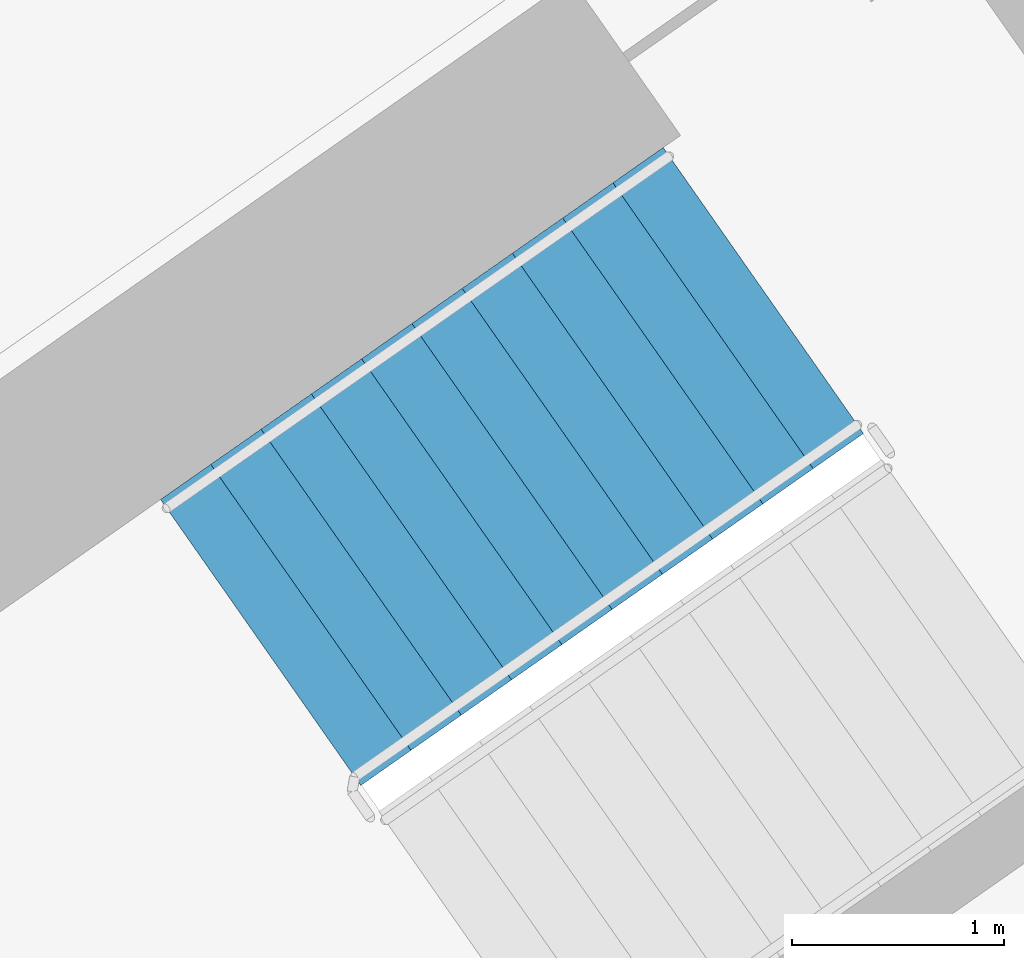
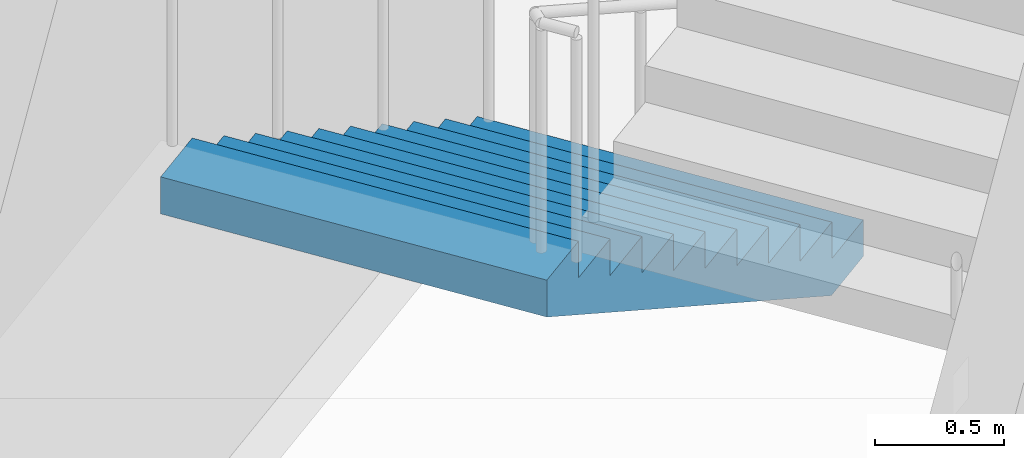
# One storey, part 17 of 31: 1 stair flight, 1 element without a shape of its own.
"""IFC4 building model written with IfcOpenShell, lengths in metres."""

from ifc_helpers import new_model, si_unit, direction, frame, origin, place, context, subcontext, project, spatial, faceted_brep, material, type_object, element, aggregate, save


model = new_model("IFC4")

# Units and contexts
model_context = context("Model", 3, precision=1e-05, world=origin(), true_north=direction((0.0, 1.0)))
body_context = subcontext(model_context, "Body", "Model", "MODEL_VIEW")
ifc_project = project(units=[si_unit("LENGTHUNIT", "METRE"), si_unit("AREAUNIT", "SQUARE_METRE"), si_unit("VOLUMEUNIT", "CUBIC_METRE"), si_unit("PLANEANGLEUNIT", "RADIAN"), si_unit("MASSUNIT", "GRAM", prefix="KILO")], contexts=[model_context])

# Site, building, storey
site_placement = place(None, origin())
site = spatial("IfcSite", under=ifc_project, at=site_placement, CompositionType="ELEMENT")
building_placement = place(site_placement, origin())
building = spatial("IfcBuilding", under=site, at=building_placement, Name="Qamariyya Broadcast Tower", CompositionType="ELEMENT")
storey_placement = place(building_placement, frame((0.0, 0.0, 51.89990234375)))
storey = spatial("IfcBuildingStorey", under=building, at=storey_placement, Name="L09", CompositionType="ELEMENT", Elevation=51.89990234375)

# Stair, stair flight
ifc_material = material(Name="Concrete C50/60", Category="concrete")
stair_type = type_object("IfcStairType", Name="Exit stair 22 risers of 173 mm", PredefinedType="HALF_TURN_STAIR", material=ifc_material)
stair_placement = place(storey_placement, origin())
stair = element("IfcStair", 1, at=stair_placement, inside=storey, type_object=stair_type, Name="L09 Stair E2", PredefinedType="HALF_TURN_STAIR")
stair_flight_type = type_object("IfcStairFlightType", Name="Exit stair flight 11 risers of 173 mm", PredefinedType="STRAIGHT", material=ifc_material)
stair_flight_placement = place(storey_placement, frame((40.558837890625, -47.685302734375, 0.0), z_axis=(0.0, 0.0, 1.0), x_axis=(-0.819152044289, -0.573576436351, 0.0)))
stair_flight = element("IfcStairFlight", 2, at=stair_flight_placement, type_object=stair_flight_type, Name="ST-E2 flight 1", NumberOfRisers=11, NumberOfTreads=10, PredefinedType="STRAIGHT", RiserHeight=0.172727273, TreadLength=0.29, context=body_context, shape_type="Brep", body=[
    faceted_brep([(0.0, 0.824951171875, 0.0), (0.0, 0.824951171875, 0.172607421875), (0.2900390625, 0.824951171875, 0.172607421875), (0.2900390625, 0.824951171875, 0.345458984375), (0.580078125, 0.824951171875, 0.345458984375), (0.580078125, 0.824951171875, 0.51806640625), (0.8701171875, 0.824951171875, 0.51806640625), (0.8701171875, 0.824951171875, 0.69091796875), (1.159912109375, 0.824951171875, 0.69091796875), (1.159912109375, 0.824951171875, 0.863525390625), (1.449951171875, 0.824951171875, 0.863525390625), (1.449951171875, 0.824951171875, 1.036376953125), (1.739990234375, 0.824951171875, 1.036376953125), (1.739990234375, 0.824951171875, 1.208984375), (2.030029296875, 0.824951171875, 1.208984375), (2.030029296875, 0.824951171875, 1.3818359375), (2.320068359375, 0.824951171875, 1.3818359375), (2.320068359375, 0.824951171875, 1.554443359375), (2.610107421875, 0.824951171875, 1.554443359375), (2.610107421875, 0.824951171875, 1.727294921875), (2.89990234375, 0.824951171875, 1.727294921875), (2.89990234375, 0.824951171875, 1.552734375), (0.29296875, 0.824951171875, 0.0), (0.29296875, -0.824951171875, 0.0), (2.89990234375, -0.824951171875, 1.552734375), (2.89990234375, -0.824951171875, 1.727294921875), (2.610107421875, -0.824951171875, 1.727294921875), (2.610107421875, -0.824951171875, 1.554443359375), (2.320068359375, -0.824951171875, 1.554443359375), (2.320068359375, -0.824951171875, 1.3818359375), (2.030029296875, -0.824951171875, 1.3818359375), (2.030029296875, -0.824951171875, 1.208984375), (1.739990234375, -0.824951171875, 1.208984375), (1.739990234375, -0.824951171875, 1.036376953125), (1.449951171875, -0.824951171875, 1.036376953125), (1.449951171875, -0.824951171875, 0.863525390625), (1.159912109375, -0.824951171875, 0.863525390625), (1.159912109375, -0.824951171875, 0.69091796875), (0.8701171875, -0.824951171875, 0.69091796875), (0.8701171875, -0.824951171875, 0.51806640625), (0.580078125, -0.824951171875, 0.51806640625), (0.580078125, -0.824951171875, 0.345458984375), (0.2900390625, -0.824951171875, 0.345458984375), (0.2900390625, -0.824951171875, 0.172607421875), (0.0, -0.824951171875, 0.172607421875), (0.0, -0.824951171875, 0.0), (0.0, 0.10009765625, 0.0), (0.0, 0.086669921875, 0.0), (0.0, 0.0732421875, 0.0), (0.0, 0.06005859375, 0.0), (0.0, 0.046630859375, 0.0), (0.0, 0.033447265625, 0.0), (0.0, 0.02001953125, 0.0), (0.0, 0.006591796875, 0.0), (0.0, -0.006591796875, 0.0), (0.0, -0.02001953125, 0.0), (0.0, -0.033447265625, 0.0), (0.0, -0.046630859375, 0.0), (0.0, -0.06005859375, 0.0), (0.0, -0.0732421875, 0.0), (0.0, -0.086669921875, 0.0), (0.0, -0.10009765625, 0.0), (0.0, -0.10009765625, 0.172607421875), (0.0, -0.086669921875, 0.172607421875), (0.0, -0.0732421875, 0.172607421875), (0.0, -0.06005859375, 0.172607421875), (0.0, -0.046630859375, 0.172607421875), (0.0, -0.033447265625, 0.172607421875), (0.0, -0.02001953125, 0.172607421875), (0.0, -0.006591796875, 0.172607421875), (0.0, 0.006591796875, 0.172607421875), (0.0, 0.02001953125, 0.172607421875), (0.0, 0.033447265625, 0.172607421875), (0.0, 0.046630859375, 0.172607421875), (0.0, 0.06005859375, 0.172607421875), (0.0, 0.0732421875, 0.172607421875), (0.0, 0.086669921875, 0.172607421875), (0.0, 0.10009765625, 0.172607421875), (0.2900390625, -0.10009765625, 0.172607421875), (0.2900390625, -0.086669921875, 0.172607421875), (0.2900390625, -0.0732421875, 0.172607421875), (0.2900390625, -0.06005859375, 0.172607421875), (0.2900390625, -0.046630859375, 0.172607421875), (0.2900390625, -0.033447265625, 0.172607421875), (0.2900390625, -0.02001953125, 0.172607421875), (0.2900390625, -0.006591796875, 0.172607421875), (0.2900390625, 0.006591796875, 0.172607421875), (0.2900390625, 0.02001953125, 0.172607421875), (0.2900390625, 0.033447265625, 0.172607421875), (0.2900390625, 0.046630859375, 0.172607421875), (0.2900390625, 0.06005859375, 0.172607421875), (0.2900390625, 0.0732421875, 0.172607421875), (0.2900390625, 0.086669921875, 0.172607421875), (0.2900390625, 0.10009765625, 0.172607421875), (0.2900390625, -0.10009765625, 0.345458984375), (0.2900390625, -0.086669921875, 0.345458984375), (0.2900390625, -0.0732421875, 0.345458984375), (0.2900390625, -0.06005859375, 0.345458984375), (0.2900390625, -0.046630859375, 0.345458984375), (0.2900390625, -0.033447265625, 0.345458984375), (0.2900390625, -0.02001953125, 0.345458984375), (0.2900390625, -0.006591796875, 0.345458984375), (0.2900390625, 0.006591796875, 0.345458984375), (0.2900390625, 0.02001953125, 0.345458984375), (0.2900390625, 0.033447265625, 0.345458984375), (0.2900390625, 0.046630859375, 0.345458984375), (0.2900390625, 0.06005859375, 0.345458984375), (0.2900390625, 0.0732421875, 0.345458984375), (0.2900390625, 0.086669921875, 0.345458984375), (0.2900390625, 0.10009765625, 0.345458984375), (0.580078125, -0.10009765625, 0.345458984375), (0.580078125, -0.086669921875, 0.345458984375), (0.580078125, -0.0732421875, 0.345458984375), (0.580078125, -0.06005859375, 0.345458984375), (0.580078125, -0.046630859375, 0.345458984375), (0.580078125, -0.033447265625, 0.345458984375), (0.580078125, -0.02001953125, 0.345458984375), (0.580078125, -0.006591796875, 0.345458984375), (0.580078125, 0.006591796875, 0.345458984375), (0.580078125, 0.02001953125, 0.345458984375), (0.580078125, 0.033447265625, 0.345458984375), (0.580078125, 0.046630859375, 0.345458984375), (0.580078125, 0.06005859375, 0.345458984375), (0.580078125, 0.0732421875, 0.345458984375), (0.580078125, 0.086669921875, 0.345458984375), (0.580078125, 0.10009765625, 0.345458984375), (0.580078125, -0.10009765625, 0.51806640625), (0.580078125, -0.086669921875, 0.51806640625), (0.580078125, -0.0732421875, 0.51806640625), (0.580078125, -0.06005859375, 0.51806640625), (0.580078125, -0.046630859375, 0.51806640625), (0.580078125, -0.033447265625, 0.51806640625), (0.580078125, -0.02001953125, 0.51806640625), (0.580078125, -0.006591796875, 0.51806640625), (0.580078125, 0.006591796875, 0.51806640625), (0.580078125, 0.02001953125, 0.51806640625), (0.580078125, 0.033447265625, 0.51806640625), (0.580078125, 0.046630859375, 0.51806640625), (0.580078125, 0.06005859375, 0.51806640625), (0.580078125, 0.0732421875, 0.51806640625), (0.580078125, 0.086669921875, 0.51806640625), (0.580078125, 0.10009765625, 0.51806640625), (0.8701171875, -0.10009765625, 0.51806640625), (0.8701171875, -0.086669921875, 0.51806640625), (0.8701171875, -0.0732421875, 0.51806640625), (0.8701171875, -0.06005859375, 0.51806640625), (0.8701171875, -0.046630859375, 0.51806640625), (0.8701171875, -0.033447265625, 0.51806640625), (0.8701171875, -0.02001953125, 0.51806640625), (0.8701171875, -0.006591796875, 0.51806640625), (0.8701171875, 0.006591796875, 0.51806640625), (0.8701171875, 0.02001953125, 0.51806640625), (0.8701171875, 0.033447265625, 0.51806640625), (0.8701171875, 0.046630859375, 0.51806640625), (0.8701171875, 0.06005859375, 0.51806640625), (0.8701171875, 0.0732421875, 0.51806640625), (0.8701171875, 0.086669921875, 0.51806640625), (0.8701171875, 0.10009765625, 0.51806640625), (0.8701171875, -0.10009765625, 0.69091796875), (0.8701171875, -0.086669921875, 0.69091796875), (0.8701171875, -0.0732421875, 0.69091796875), (0.8701171875, -0.06005859375, 0.69091796875), (0.8701171875, -0.046630859375, 0.69091796875), (0.8701171875, -0.033447265625, 0.69091796875), (0.8701171875, -0.02001953125, 0.69091796875), (0.8701171875, -0.006591796875, 0.69091796875), (0.8701171875, 0.006591796875, 0.69091796875), (0.8701171875, 0.02001953125, 0.69091796875), (0.8701171875, 0.033447265625, 0.69091796875), (0.8701171875, 0.046630859375, 0.69091796875), (0.8701171875, 0.06005859375, 0.69091796875), (0.8701171875, 0.0732421875, 0.69091796875), (0.8701171875, 0.086669921875, 0.69091796875), (0.8701171875, 0.10009765625, 0.69091796875), (1.159912109375, -0.10009765625, 0.69091796875), (1.159912109375, -0.086669921875, 0.69091796875), (1.159912109375, -0.0732421875, 0.69091796875), (1.159912109375, -0.06005859375, 0.69091796875), (1.159912109375, -0.046630859375, 0.69091796875), (1.159912109375, -0.033447265625, 0.69091796875), (1.159912109375, -0.02001953125, 0.69091796875), (1.159912109375, -0.006591796875, 0.69091796875), (1.159912109375, 0.006591796875, 0.69091796875), (1.159912109375, 0.02001953125, 0.69091796875), (1.159912109375, 0.033447265625, 0.69091796875), (1.159912109375, 0.046630859375, 0.69091796875), (1.159912109375, 0.06005859375, 0.69091796875), (1.159912109375, 0.0732421875, 0.69091796875), (1.159912109375, 0.086669921875, 0.69091796875), (1.159912109375, 0.10009765625, 0.69091796875), (1.159912109375, -0.10009765625, 0.863525390625), (1.159912109375, -0.086669921875, 0.863525390625), (1.159912109375, -0.0732421875, 0.863525390625), (1.159912109375, -0.06005859375, 0.863525390625), (1.159912109375, -0.046630859375, 0.863525390625), (1.159912109375, -0.033447265625, 0.863525390625), (1.159912109375, -0.02001953125, 0.863525390625), (1.159912109375, -0.006591796875, 0.863525390625), (1.159912109375, 0.006591796875, 0.863525390625), (1.159912109375, 0.02001953125, 0.863525390625), (1.159912109375, 0.033447265625, 0.863525390625), (1.159912109375, 0.046630859375, 0.863525390625), (1.159912109375, 0.06005859375, 0.863525390625), (1.159912109375, 0.0732421875, 0.863525390625), (1.159912109375, 0.086669921875, 0.863525390625), (1.159912109375, 0.10009765625, 0.863525390625), (1.449951171875, -0.10009765625, 0.863525390625), (1.449951171875, -0.086669921875, 0.863525390625), (1.449951171875, -0.0732421875, 0.863525390625), (1.449951171875, -0.06005859375, 0.863525390625), (1.449951171875, -0.046630859375, 0.863525390625), (1.449951171875, -0.033447265625, 0.863525390625), (1.449951171875, -0.02001953125, 0.863525390625), (1.449951171875, -0.006591796875, 0.863525390625), (1.449951171875, 0.006591796875, 0.863525390625), (1.449951171875, 0.02001953125, 0.863525390625), (1.449951171875, 0.033447265625, 0.863525390625), (1.449951171875, 0.046630859375, 0.863525390625), (1.449951171875, 0.06005859375, 0.863525390625), (1.449951171875, 0.0732421875, 0.863525390625), (1.449951171875, 0.086669921875, 0.863525390625), (1.449951171875, 0.10009765625, 0.863525390625), (1.449951171875, -0.10009765625, 1.036376953125), (1.449951171875, -0.086669921875, 1.036376953125), (1.449951171875, -0.0732421875, 1.036376953125), (1.449951171875, -0.06005859375, 1.036376953125), (1.449951171875, -0.046630859375, 1.036376953125), (1.449951171875, -0.033447265625, 1.036376953125), (1.449951171875, -0.02001953125, 1.036376953125), (1.449951171875, -0.006591796875, 1.036376953125), (1.449951171875, 0.006591796875, 1.036376953125), (1.449951171875, 0.02001953125, 1.036376953125), (1.449951171875, 0.033447265625, 1.036376953125), (1.449951171875, 0.046630859375, 1.036376953125), (1.449951171875, 0.06005859375, 1.036376953125), (1.449951171875, 0.0732421875, 1.036376953125), (1.449951171875, 0.086669921875, 1.036376953125), (1.449951171875, 0.10009765625, 1.036376953125), (1.739990234375, -0.10009765625, 1.036376953125), (1.739990234375, -0.086669921875, 1.036376953125), (1.739990234375, -0.0732421875, 1.036376953125), (1.739990234375, -0.06005859375, 1.036376953125), (1.739990234375, -0.046630859375, 1.036376953125), (1.739990234375, -0.033447265625, 1.036376953125), (1.739990234375, -0.02001953125, 1.036376953125), (1.739990234375, -0.006591796875, 1.036376953125), (1.739990234375, 0.006591796875, 1.036376953125), (1.739990234375, 0.02001953125, 1.036376953125), (1.739990234375, 0.033447265625, 1.036376953125), (1.739990234375, 0.046630859375, 1.036376953125), (1.739990234375, 0.06005859375, 1.036376953125), (1.739990234375, 0.0732421875, 1.036376953125), (1.739990234375, 0.086669921875, 1.036376953125), (1.739990234375, 0.10009765625, 1.036376953125), (1.739990234375, -0.10009765625, 1.208984375), (1.739990234375, -0.086669921875, 1.208984375), (1.739990234375, -0.0732421875, 1.208984375), (1.739990234375, -0.06005859375, 1.208984375), (1.739990234375, -0.046630859375, 1.208984375), (1.739990234375, -0.033447265625, 1.208984375), (1.739990234375, -0.02001953125, 1.208984375), (1.739990234375, -0.006591796875, 1.208984375), (1.739990234375, 0.006591796875, 1.208984375), (1.739990234375, 0.02001953125, 1.208984375), (1.739990234375, 0.033447265625, 1.208984375), (1.739990234375, 0.046630859375, 1.208984375), (1.739990234375, 0.06005859375, 1.208984375), (1.739990234375, 0.0732421875, 1.208984375), (1.739990234375, 0.086669921875, 1.208984375), (1.739990234375, 0.10009765625, 1.208984375), (2.030029296875, -0.10009765625, 1.208984375), (2.030029296875, -0.086669921875, 1.208984375), (2.030029296875, -0.0732421875, 1.208984375), (2.030029296875, -0.06005859375, 1.208984375), (2.030029296875, -0.046630859375, 1.208984375), (2.030029296875, -0.033447265625, 1.208984375), (2.030029296875, -0.02001953125, 1.208984375), (2.030029296875, -0.006591796875, 1.208984375), (2.030029296875, 0.006591796875, 1.208984375), (2.030029296875, 0.02001953125, 1.208984375), (2.030029296875, 0.033447265625, 1.208984375), (2.030029296875, 0.046630859375, 1.208984375), (2.030029296875, 0.06005859375, 1.208984375), (2.030029296875, 0.0732421875, 1.208984375), (2.030029296875, 0.086669921875, 1.208984375), (2.030029296875, 0.10009765625, 1.208984375), (2.030029296875, -0.10009765625, 1.3818359375), (2.030029296875, -0.086669921875, 1.3818359375), (2.030029296875, -0.0732421875, 1.3818359375), (2.030029296875, -0.06005859375, 1.3818359375), (2.030029296875, -0.046630859375, 1.3818359375), (2.030029296875, -0.033447265625, 1.3818359375), (2.030029296875, -0.02001953125, 1.3818359375), (2.030029296875, -0.006591796875, 1.3818359375), (2.030029296875, 0.006591796875, 1.3818359375), (2.030029296875, 0.02001953125, 1.3818359375), (2.030029296875, 0.033447265625, 1.3818359375), (2.030029296875, 0.046630859375, 1.3818359375), (2.030029296875, 0.06005859375, 1.3818359375), (2.030029296875, 0.0732421875, 1.3818359375), (2.030029296875, 0.086669921875, 1.3818359375), (2.030029296875, 0.10009765625, 1.3818359375), (2.320068359375, -0.10009765625, 1.3818359375), (2.320068359375, -0.086669921875, 1.3818359375), (2.320068359375, -0.0732421875, 1.3818359375), (2.320068359375, -0.06005859375, 1.3818359375), (2.320068359375, -0.046630859375, 1.3818359375), (2.320068359375, -0.033447265625, 1.3818359375), (2.320068359375, -0.02001953125, 1.3818359375), (2.320068359375, -0.006591796875, 1.3818359375), (2.320068359375, 0.006591796875, 1.3818359375), (2.320068359375, 0.02001953125, 1.3818359375), (2.320068359375, 0.033447265625, 1.3818359375), (2.320068359375, 0.046630859375, 1.3818359375), (2.320068359375, 0.06005859375, 1.3818359375), (2.320068359375, 0.0732421875, 1.3818359375), (2.320068359375, 0.086669921875, 1.3818359375), (2.320068359375, 0.10009765625, 1.3818359375), (2.320068359375, -0.10009765625, 1.554443359375), (2.320068359375, -0.086669921875, 1.554443359375), (2.320068359375, -0.0732421875, 1.554443359375), (2.320068359375, -0.06005859375, 1.554443359375), (2.320068359375, -0.046630859375, 1.554443359375), (2.320068359375, -0.033447265625, 1.554443359375), (2.320068359375, -0.02001953125, 1.554443359375), (2.320068359375, -0.006591796875, 1.554443359375), (2.320068359375, 0.006591796875, 1.554443359375), (2.320068359375, 0.02001953125, 1.554443359375), (2.320068359375, 0.033447265625, 1.554443359375), (2.320068359375, 0.046630859375, 1.554443359375), (2.320068359375, 0.06005859375, 1.554443359375), (2.320068359375, 0.0732421875, 1.554443359375), (2.320068359375, 0.086669921875, 1.554443359375), (2.320068359375, 0.10009765625, 1.554443359375), (2.610107421875, -0.10009765625, 1.554443359375), (2.610107421875, -0.086669921875, 1.554443359375), (2.610107421875, -0.0732421875, 1.554443359375), (2.610107421875, -0.06005859375, 1.554443359375), (2.610107421875, -0.046630859375, 1.554443359375), (2.610107421875, -0.033447265625, 1.554443359375), (2.610107421875, -0.02001953125, 1.554443359375), (2.610107421875, -0.006591796875, 1.554443359375), (2.610107421875, 0.006591796875, 1.554443359375), (2.610107421875, 0.02001953125, 1.554443359375), (2.610107421875, 0.033447265625, 1.554443359375), (2.610107421875, 0.046630859375, 1.554443359375), (2.610107421875, 0.06005859375, 1.554443359375), (2.610107421875, 0.0732421875, 1.554443359375), (2.610107421875, 0.086669921875, 1.554443359375), (2.610107421875, 0.10009765625, 1.554443359375), (2.610107421875, -0.10009765625, 1.727294921875), (2.610107421875, -0.086669921875, 1.727294921875), (2.610107421875, -0.0732421875, 1.727294921875), (2.610107421875, -0.06005859375, 1.727294921875), (2.610107421875, -0.046630859375, 1.727294921875), (2.610107421875, -0.033447265625, 1.727294921875), (2.610107421875, -0.02001953125, 1.727294921875), (2.610107421875, -0.006591796875, 1.727294921875), (2.610107421875, 0.006591796875, 1.727294921875), (2.610107421875, 0.02001953125, 1.727294921875), (2.610107421875, 0.033447265625, 1.727294921875), (2.610107421875, 0.046630859375, 1.727294921875), (2.610107421875, 0.06005859375, 1.727294921875), (2.610107421875, 0.0732421875, 1.727294921875), (2.610107421875, 0.086669921875, 1.727294921875), (2.610107421875, 0.10009765625, 1.727294921875), (2.89990234375, -0.10009765625, 1.727294921875), (2.89990234375, -0.086669921875, 1.727294921875), (2.89990234375, -0.0732421875, 1.727294921875), (2.89990234375, -0.06005859375, 1.727294921875), (2.89990234375, -0.046630859375, 1.727294921875), (2.89990234375, -0.033447265625, 1.727294921875), (2.89990234375, -0.02001953125, 1.727294921875), (2.89990234375, -0.006591796875, 1.727294921875), (2.89990234375, 0.006591796875, 1.727294921875), (2.89990234375, 0.02001953125, 1.727294921875), (2.89990234375, 0.033447265625, 1.727294921875), (2.89990234375, 0.046630859375, 1.727294921875), (2.89990234375, 0.06005859375, 1.727294921875), (2.89990234375, 0.0732421875, 1.727294921875), (2.89990234375, 0.086669921875, 1.727294921875), (2.89990234375, 0.10009765625, 1.727294921875), (2.89990234375, -0.10009765625, 1.552734375), (2.89990234375, -0.086669921875, 1.552734375), (2.89990234375, -0.0732421875, 1.552734375), (2.89990234375, -0.06005859375, 1.552734375), (2.89990234375, -0.046630859375, 1.552734375), (2.89990234375, -0.033447265625, 1.552734375), (2.89990234375, -0.02001953125, 1.552734375), (2.89990234375, -0.006591796875, 1.552734375), (2.89990234375, 0.006591796875, 1.552734375), (2.89990234375, 0.02001953125, 1.552734375), (2.89990234375, 0.033447265625, 1.552734375), (2.89990234375, 0.046630859375, 1.552734375), (2.89990234375, 0.06005859375, 1.552734375), (2.89990234375, 0.0732421875, 1.552734375), (2.89990234375, 0.086669921875, 1.552734375), (2.89990234375, 0.10009765625, 1.552734375), (0.29296875, -0.10009765625, 0.0), (0.29296875, -0.086669921875, 0.0), (0.29296875, -0.0732421875, 0.0), (0.29296875, -0.06005859375, 0.0), (0.29296875, -0.046630859375, 0.0), (0.29296875, -0.033447265625, 0.0), (0.29296875, -0.02001953125, 0.0), (0.29296875, -0.006591796875, 0.0), (0.29296875, 0.006591796875, 0.0), (0.29296875, 0.02001953125, 0.0), (0.29296875, 0.033447265625, 0.0), (0.29296875, 0.046630859375, 0.0), (0.29296875, 0.06005859375, 0.0), (0.29296875, 0.0732421875, 0.0), (0.29296875, 0.086669921875, 0.0), (0.29296875, 0.10009765625, 0.0)], [[[0, 1, 2, 3, 4, 5, 6, 7, 8, 9, 10, 11, 12, 13, 14, 15, 16, 17, 18, 19, 20, 21, 22]], [[23, 24, 25, 26, 27, 28, 29, 30, 31, 32, 33, 34, 35, 36, 37, 38, 39, 40, 41, 42, 43, 44, 45]], [[0, 46, 47, 48, 49, 50, 51, 52, 53, 54, 55, 56, 57, 58, 59, 60, 61, 45, 44, 62, 63, 64, 65, 66, 67, 68, 69, 70, 71, 72, 73, 74, 75, 76, 77, 1]], [[1, 77, 76, 75, 74, 73, 72, 71, 70, 69, 68, 67, 66, 65, 64, 63, 62, 44, 43, 78, 79, 80, 81, 82, 83, 84, 85, 86, 87, 88, 89, 90, 91, 92, 93, 2]], [[2, 93, 92, 91, 90, 89, 88, 87, 86, 85, 84, 83, 82, 81, 80, 79, 78, 43, 42, 94, 95, 96, 97, 98, 99, 100, 101, 102, 103, 104, 105, 106, 107, 108, 109, 3]], [[3, 109, 108, 107, 106, 105, 104, 103, 102, 101, 100, 99, 98, 97, 96, 95, 94, 42, 41, 110, 111, 112, 113, 114, 115, 116, 117, 118, 119, 120, 121, 122, 123, 124, 125, 4]], [[4, 125, 124, 123, 122, 121, 120, 119, 118, 117, 116, 115, 114, 113, 112, 111, 110, 41, 40, 126, 127, 128, 129, 130, 131, 132, 133, 134, 135, 136, 137, 138, 139, 140, 141, 5]], [[5, 141, 140, 139, 138, 137, 136, 135, 134, 133, 132, 131, 130, 129, 128, 127, 126, 40, 39, 142, 143, 144, 145, 146, 147, 148, 149, 150, 151, 152, 153, 154, 155, 156, 157, 6]], [[6, 157, 156, 155, 154, 153, 152, 151, 150, 149, 148, 147, 146, 145, 144, 143, 142, 39, 38, 158, 159, 160, 161, 162, 163, 164, 165, 166, 167, 168, 169, 170, 171, 172, 173, 7]], [[7, 173, 172, 171, 170, 169, 168, 167, 166, 165, 164, 163, 162, 161, 160, 159, 158, 38, 37, 174, 175, 176, 177, 178, 179, 180, 181, 182, 183, 184, 185, 186, 187, 188, 189, 8]], [[8, 189, 188, 187, 186, 185, 184, 183, 182, 181, 180, 179, 178, 177, 176, 175, 174, 37, 36, 190, 191, 192, 193, 194, 195, 196, 197, 198, 199, 200, 201, 202, 203, 204, 205, 9]], [[9, 205, 204, 203, 202, 201, 200, 199, 198, 197, 196, 195, 194, 193, 192, 191, 190, 36, 35, 206, 207, 208, 209, 210, 211, 212, 213, 214, 215, 216, 217, 218, 219, 220, 221, 10]], [[10, 221, 220, 219, 218, 217, 216, 215, 214, 213, 212, 211, 210, 209, 208, 207, 206, 35, 34, 222, 223, 224, 225, 226, 227, 228, 229, 230, 231, 232, 233, 234, 235, 236, 237, 11]], [[11, 237, 236, 235, 234, 233, 232, 231, 230, 229, 228, 227, 226, 225, 224, 223, 222, 34, 33, 238, 239, 240, 241, 242, 243, 244, 245, 246, 247, 248, 249, 250, 251, 252, 253, 12]], [[12, 253, 252, 251, 250, 249, 248, 247, 246, 245, 244, 243, 242, 241, 240, 239, 238, 33, 32, 254, 255, 256, 257, 258, 259, 260, 261, 262, 263, 264, 265, 266, 267, 268, 269, 13]], [[13, 269, 268, 267, 266, 265, 264, 263, 262, 261, 260, 259, 258, 257, 256, 255, 254, 32, 31, 270, 271, 272, 273, 274, 275, 276, 277, 278, 279, 280, 281, 282, 283, 284, 285, 14]], [[14, 285, 284, 283, 282, 281, 280, 279, 278, 277, 276, 275, 274, 273, 272, 271, 270, 31, 30, 286, 287, 288, 289, 290, 291, 292, 293, 294, 295, 296, 297, 298, 299, 300, 301, 15]], [[15, 301, 300, 299, 298, 297, 296, 295, 294, 293, 292, 291, 290, 289, 288, 287, 286, 30, 29, 302, 303, 304, 305, 306, 307, 308, 309, 310, 311, 312, 313, 314, 315, 316, 317, 16]], [[16, 317, 316, 315, 314, 313, 312, 311, 310, 309, 308, 307, 306, 305, 304, 303, 302, 29, 28, 318, 319, 320, 321, 322, 323, 324, 325, 326, 327, 328, 329, 330, 331, 332, 333, 17]], [[17, 333, 332, 331, 330, 329, 328, 327, 326, 325, 324, 323, 322, 321, 320, 319, 318, 28, 27, 334, 335, 336, 337, 338, 339, 340, 341, 342, 343, 344, 345, 346, 347, 348, 349, 18]], [[18, 349, 348, 347, 346, 345, 344, 343, 342, 341, 340, 339, 338, 337, 336, 335, 334, 27, 26, 350, 351, 352, 353, 354, 355, 356, 357, 358, 359, 360, 361, 362, 363, 364, 365, 19]], [[19, 365, 364, 363, 362, 361, 360, 359, 358, 357, 356, 355, 354, 353, 352, 351, 350, 26, 25, 366, 367, 368, 369, 370, 371, 372, 373, 374, 375, 376, 377, 378, 379, 380, 381, 20]], [[20, 381, 380, 379, 378, 377, 376, 375, 374, 373, 372, 371, 370, 369, 368, 367, 366, 25, 24, 382, 383, 384, 385, 386, 387, 388, 389, 390, 391, 392, 393, 394, 395, 396, 397, 21]], [[21, 397, 396, 395, 394, 393, 392, 391, 390, 389, 388, 387, 386, 385, 384, 383, 382, 24, 23, 398, 399, 400, 401, 402, 403, 404, 405, 406, 407, 408, 409, 410, 411, 412, 413, 22]], [[22, 413, 412, 411, 410, 409, 408, 407, 406, 405, 404, 403, 402, 401, 400, 399, 398, 23, 45, 61, 60, 59, 58, 57, 56, 55, 54, 53, 52, 51, 50, 49, 48, 47, 46, 0]]]),
])
aggregate(stair, [stair_flight])

save(model, "model.ifc")
